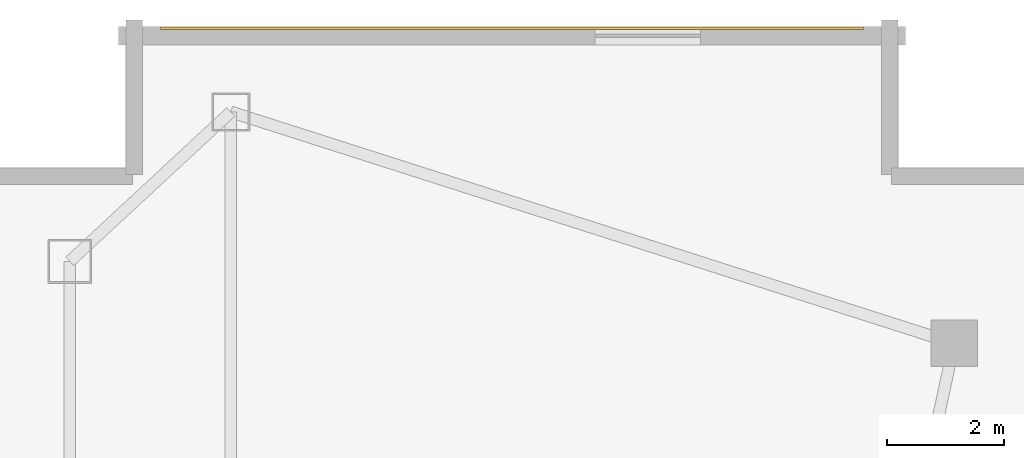
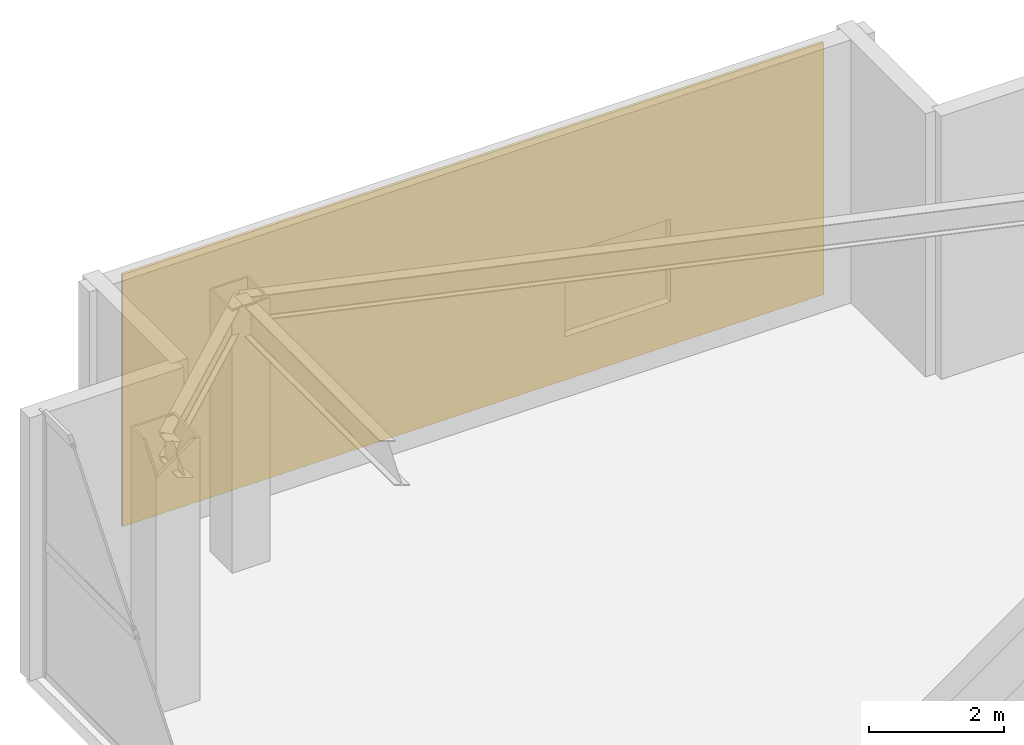
# One storey, part 22 of 22: 1 covering.
"""IFC4 building model written with IfcOpenShell, lengths in metres."""

from ifc_helpers import new_model, si_unit, direction, frame, origin, origin_2d, place, context, subcontext, project, spatial, rectangle, extrude, material, layer, layer_set, type_object, element, save


model = new_model("IFC4")

# Units and contexts
model_context = context("Model", 3, precision=1e-05, world=origin(), true_north=direction((0.0, 1.0)))
body_context = subcontext(model_context, "Body", "Model", "MODEL_VIEW")
ifc_project = project(units=[si_unit("LENGTHUNIT", "METRE"), si_unit("AREAUNIT", "SQUARE_METRE"), si_unit("VOLUMEUNIT", "CUBIC_METRE"), si_unit("PLANEANGLEUNIT", "RADIAN"), si_unit("MASSUNIT", "GRAM", prefix="KILO")], contexts=[model_context])

# Site, building, storey
site_placement = place(None, origin())
site = spatial("IfcSite", under=ifc_project, at=site_placement, CompositionType="ELEMENT")
building_placement = place(site_placement, origin())
building = spatial("IfcBuilding", under=site, at=building_placement, Name="Calvorn Quay Hotel", CompositionType="ELEMENT")
storey_placement = place(building_placement, frame((0.0, 0.0, 325.5)))
storey = spatial("IfcBuildingStorey", under=building, at=storey_placement, Name="L80", CompositionType="ELEMENT", Elevation=325.5)

# Covering
ifc_material = material(Name="Pale Anodised Aluminium Rainscreen Cladding", Category="aluminium")
ifc_layer = layer(ifc_material, 0.044921875)
ifc_layer_set = layer_set([ifc_layer], Name="COV-CROWN-CLAD")
covering_type = type_object("IfcCoveringType", Name="COV-CROWN-CLAD", PredefinedType="CLADDING", material=ifc_layer_set)
covering_placement = place(storey_placement, frame((9.0, 50.97998046875, 0.099853515625), z_axis=(0.0, 0.0, 1.0), x_axis=(1.0, 0.0, 0.0)))
element("IfcCovering", 1, at=covering_placement, inside=storey, type_object=covering_type, Name="Crown Pale-Metal Cladding (L80)", PredefinedType="CLADDING", context=body_context, shape_type="SweptSolid", body=[
    extrude(rectangle(XDim=12.0, YDim=0.044921875, at=origin_2d()), origin(), (0.0, 0.0, 1.0), 4.56005859375),
])

save(model, "model.ifc")
